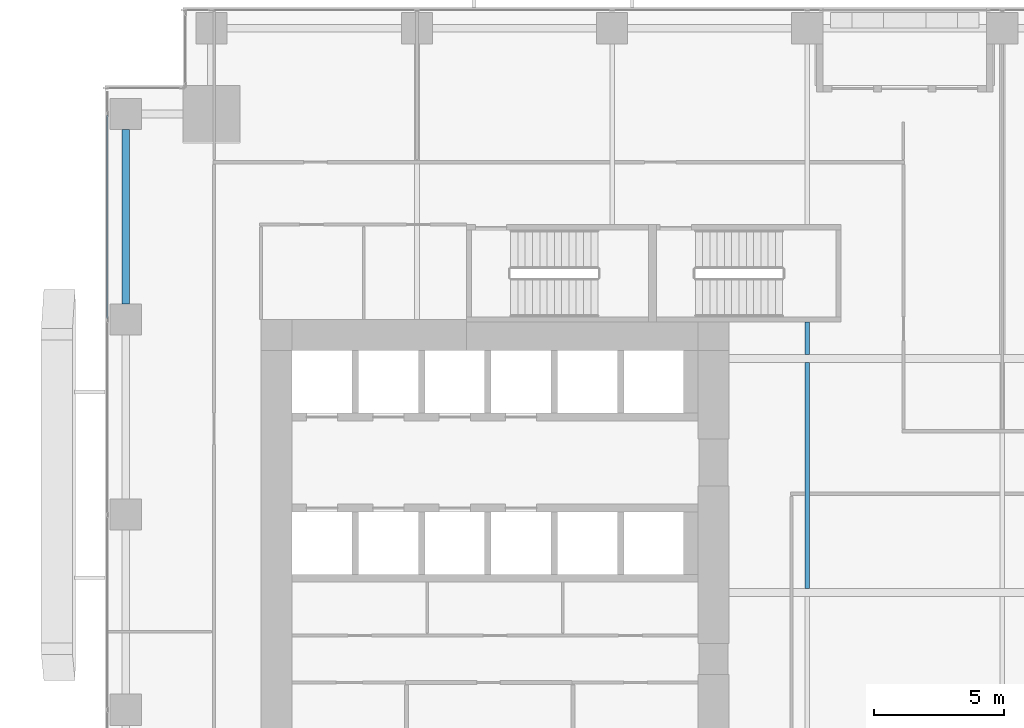
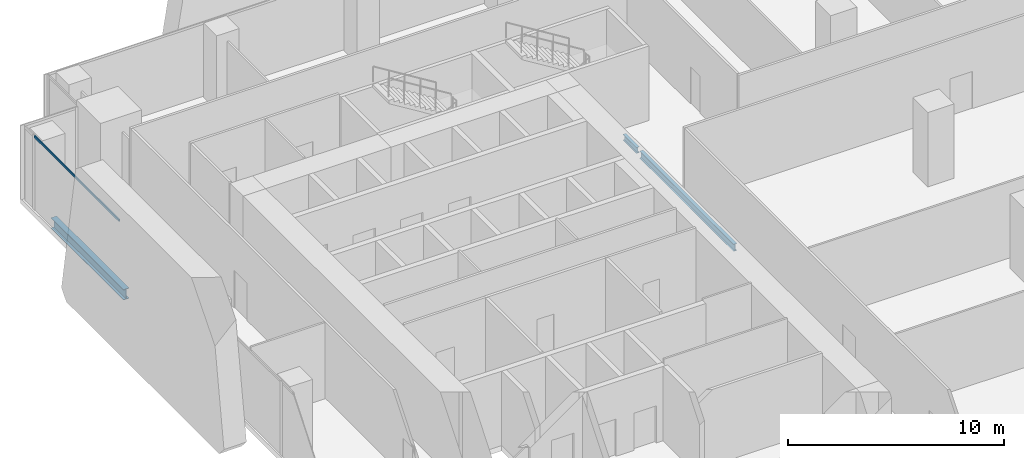
# One storey, part 12 of 34: 3 beams, 1 member, 1 element without a shape of its own.
"""IFC4 building model written with IfcOpenShell, lengths in metres."""

import ifcopenshell
import ifcopenshell.guid

model = None  # the IFC model being written
_history = None  # IfcOwnerHistory: only IFC2X3 demands one
_inside = {}  # id of a spatial element -> (the spatial element, [elements in it])
_under = {}  # id of a project, library or spatial element -> (it, [spatial elements below it])
_declared = {}  # id of a project -> (the project, [libraries it declares])
_typed = {}  # id of a type object -> (the type object, [elements of that type])
_made_of = {}  # id of a material, layer set ... -> (it, [elements and type objects made of it])


def new_model(schema):
    """Start an empty IFC model of exactly this schema.

    Asked for "IFC4X3", IfcOpenShell would pick the latest addendum, in which some entities
    have other attributes; the version numbers below select the first issue.
    IFC2X3 requires an IfcOwnerHistory on every rooted entity: one is made here for all.
    """
    global model, _history
    if schema == "IFC4X3":
        model = ifcopenshell.file(schema_version=(4, 3, 0, 0))
    else:
        model = ifcopenshell.file(schema=schema)
    _inside.clear()
    _under.clear()
    _declared.clear()
    _typed.clear()
    _made_of.clear()
    _history = None
    if model.schema == "IFC2X3":
        org = make("IfcOrganization", Name="unknown")
        user = make(
            "IfcPersonAndOrganization",
            ThePerson=make("IfcPerson", FamilyName="unknown"),
            TheOrganization=org,
        )
        app = make(
            "IfcApplication",
            ApplicationDeveloper=org,
            Version="unknown",
            ApplicationFullName="unknown",
            ApplicationIdentifier="unknown",
        )
        _history = make(
            "IfcOwnerHistory",
            OwningUser=user,
            OwningApplication=app,
            ChangeAction="ADDED",
            CreationDate=0,
        )
    return model


def make(cls, **values):
    """One entity of the class cls with the attributes given. An attribute that is None is left unset."""
    return model.create_entity(
        cls, **{name: value for name, value in values.items() if value is not None}
    )


def rooted(cls, **values):
    """An entity with a GlobalId (a new one), such as an element, a storey or a relation."""
    return make(cls, GlobalId=ifcopenshell.guid.new(), OwnerHistory=_history, **values)


def si_unit(unit_type, name, prefix=None):
    """IfcSIUnit, for example si_unit("LENGTHUNIT", "METRE", prefix="MILLI")."""
    return make("IfcSIUnit", UnitType=unit_type, Prefix=prefix, Name=name)


def assignment(units):
    """IfcUnitAssignment: the units of a project."""
    return None if units is None else make("IfcUnitAssignment", Units=units)


def point(xyz):
    """IfcCartesianPoint."""
    return None if xyz is None else make("IfcCartesianPoint", Coordinates=xyz)


def direction(xyz):
    """IfcDirection."""
    return None if xyz is None else make("IfcDirection", DirectionRatios=xyz)


def frame(location, z_axis=None, x_axis=None):
    """IfcAxis2Placement3D, a coordinate frame: its origin and axes. An axis left out is left unset."""
    return make(
        "IfcAxis2Placement3D",
        Location=point(location),
        Axis=direction(z_axis),
        RefDirection=direction(x_axis),
    )


def frame_2d(location, x_axis=None):
    """IfcAxis2Placement2D, a coordinate frame in the plane: its origin and x axis."""
    return make(
        "IfcAxis2Placement2D", Location=point(location), RefDirection=direction(x_axis)
    )


def origin():
    """The frame at (0, 0, 0) with its axes left unset."""
    return frame((0.0, 0.0, 0.0))


def origin_2d():
    """The frame at (0, 0) in the plane with its x axis left unset."""
    return frame_2d((0.0, 0.0))


def place(relative_to, where):
    """IfcLocalPlacement: puts the frame where relative to a parent placement (None: the world)."""
    return make(
        "IfcLocalPlacement", PlacementRelTo=relative_to, RelativePlacement=where
    )


def context(
    kind, dimensions, precision=None, world=None, true_north=None, identifier=None
):
    """IfcGeometricRepresentationContext, for example the 3D "Model" context."""
    return make(
        "IfcGeometricRepresentationContext",
        ContextIdentifier=identifier,
        ContextType=kind,
        CoordinateSpaceDimension=dimensions,
        Precision=precision,
        WorldCoordinateSystem=world,
        TrueNorth=true_north,
    )


def subcontext(parent, identifier, kind, view, scale=None):
    """IfcGeometricRepresentationSubContext, for example "Body" below "Model"."""
    return make(
        "IfcGeometricRepresentationSubContext",
        ContextIdentifier=identifier,
        ContextType=kind,
        ParentContext=parent,
        TargetScale=scale,
        TargetView=view,
    )


def project(units=None, contexts=None):
    """IfcProject with its units and contexts."""
    return rooted(
        "IfcProject",
        Name="project",
        RepresentationContexts=contexts,
        UnitsInContext=assignment(units),
    )


def spatial(cls, under=None, at=None, **own):
    """A site, building, storey or space (cls), placed at a placement, below another one or the project."""
    s = rooted(cls, ObjectPlacement=at, **own)
    if under is not None:
        _under.setdefault(under.id(), (under, []))[1].append(s)
    return s


def profile(cls, at=None, kind="AREA", **sizes):
    """A parametric profile (cls). Its sizes go by their IFC names, for example OverallWidth=200.0."""
    return make(cls, ProfileType=kind, Position=at, **sizes)


def hollow_rectangle(**sizes):
    """IfcRectangleHollowProfileDef."""
    return profile("IfcRectangleHollowProfileDef", **sizes)


def i_section(**sizes):
    """IfcIShapeProfileDef."""
    return profile("IfcIShapeProfileDef", **sizes)


def extrude(swept, where, along, depth):
    """IfcExtrudedAreaSolid: the profile swept, set in the frame where, extruded along a direction by depth."""
    return make(
        "IfcExtrudedAreaSolid",
        SweptArea=swept,
        Position=where,
        ExtrudedDirection=direction(along),
        Depth=depth,
    )


def shape(context_of_items, identifier, shape_type, items):
    """IfcShapeRepresentation: the items that make up one representation, for example the "Body"."""
    return make(
        "IfcShapeRepresentation",
        ContextOfItems=context_of_items,
        RepresentationIdentifier=identifier,
        RepresentationType=shape_type,
        Items=items,
    )


def source(mapping_origin, context_of_items, identifier, shape_type, items):
    """IfcRepresentationMap: a shape defined once, which mapped items show again and again."""
    return make(
        "IfcRepresentationMap",
        MappingOrigin=mapping_origin,
        MappedRepresentation=shape(context_of_items, identifier, shape_type, items),
    )


def transform(
    local_origin,
    x_axis=None,
    y_axis=None,
    z_axis=None,
    scale=None,
    scale2=None,
    scale3=None,
    uniform=True,
):
    """IfcCartesianTransformationOperator3D, or its non-uniform kind. x_axis, y_axis, z_axis: its Axis1, 2, 3."""
    if uniform:
        return make(
            "IfcCartesianTransformationOperator3D",
            Axis1=direction(x_axis),
            Axis2=direction(y_axis),
            LocalOrigin=point(local_origin),
            Scale=scale,
            Axis3=direction(z_axis),
        )
    return make(
        "IfcCartesianTransformationOperator3DnonUniform",
        Axis1=direction(x_axis),
        Axis2=direction(y_axis),
        LocalOrigin=point(local_origin),
        Scale=scale,
        Axis3=direction(z_axis),
        Scale2=scale2,
        Scale3=scale3,
    )


def mapped(mapping_source, mapping_target):
    """IfcMappedItem: shows the shape of a source again, moved by a transform."""
    return make(
        "IfcMappedItem", MappingSource=mapping_source, MappingTarget=mapping_target
    )


def material(Name=None, Category=None):
    """IfcMaterial."""
    return make("IfcMaterial", Name=Name, Category=Category)


def material_profile(
    of_material, cross_section, Name=None, Category=None, Priority=None
):
    """IfcMaterialProfile: a cross section and its material."""
    return make(
        "IfcMaterialProfile",
        Name=Name,
        Material=of_material,
        Profile=cross_section,
        Priority=Priority,
        Category=Category,
    )


def profile_set(profiles, Name=None, composite=None):
    """IfcMaterialProfileSet."""
    return make(
        "IfcMaterialProfileSet",
        Name=Name,
        MaterialProfiles=profiles,
        CompositeProfile=composite,
    )


def made_of(thing, what):
    """Note that an element or type object is made of a material, layer set ...; save() writes the relation."""
    if what is not None:
        _made_of.setdefault(what.id(), (what, []))[1].append(thing)
    return thing


def type_object(cls, material=None, **own):
    """A type object (cls), such as IfcWallType, which elements share."""
    return made_of(rooted(cls, **own), material)


def element(
    cls,
    number,
    at=None,
    inside=None,
    cuts=None,
    type_object=None,
    material=None,
    context=None,
    identifier="Body",
    shape_type=None,
    held_by="IfcProductDefinitionShape",
    body=None,
    shapes=None,
    **own,
):
    """One element of the class cls, such as IfcWall. Its Tag is "e" and its number.

    at: its placement. inside: the storey or other place that contains it. cuts: it is an
    opening in that element (IfcRelVoidsElement). A single representation is given by context,
    identifier, shape_type and body (its items); several are given by shapes. held_by: the class
    of the entity that holds the representations. save() writes the other relations.
    """
    e = rooted(cls, Tag="e%d" % number, ObjectPlacement=at, **own)
    if body is not None:
        shapes = [shape(context, identifier, shape_type, body)]
    if shapes is not None:
        e.Representation = make(held_by, Representations=shapes)
    if inside is not None:
        _inside.setdefault(inside.id(), (inside, []))[1].append(e)
    if cuts is not None:
        rooted(
            "IfcRelVoidsElement", RelatingBuildingElement=cuts, RelatedOpeningElement=e
        )
    if type_object is not None:
        _typed.setdefault(type_object.id(), (type_object, []))[1].append(e)
    return made_of(e, material)


def aggregate(whole, parts):
    """IfcRelAggregates: a whole, such as a stair, and the parts it consists of."""
    return rooted("IfcRelAggregates", RelatingObject=whole, RelatedObjects=parts)


def save(model, path):
    """Write the relations noted so far, then the file.

    IfcRelAggregates (storeys below a building ...), IfcRelContainedInSpatialStructure (elements
    in a storey), IfcRelDefinesByType, IfcRelAssociatesMaterial and IfcRelDeclares: one each for
    every whole, place, type object, material and project.
    """
    for whole, parts in _under.values():
        aggregate(whole, parts)
    for where, things in _inside.values():
        rooted(
            "IfcRelContainedInSpatialStructure",
            RelatedElements=things,
            RelatingStructure=where,
        )
    for kind, things in _typed.values():
        rooted("IfcRelDefinesByType", RelatedObjects=things, RelatingType=kind)
    for what, things in _made_of.values():
        rooted("IfcRelAssociatesMaterial", RelatedObjects=things, RelatingMaterial=what)
    for by, libraries in _declared.values():
        rooted("IfcRelDeclares", RelatingContext=by, RelatedDefinitions=libraries)
    model.write(path)


model = new_model("IFC4")

# Units and contexts
model_context = context("Model", 3, precision=1e-05, world=origin(), true_north=direction((0.0, 1.0)))
body_context = subcontext(model_context, "Body", "Model", "MODEL_VIEW")
ifc_project = project(units=[si_unit("LENGTHUNIT", "METRE"), si_unit("AREAUNIT", "SQUARE_METRE"), si_unit("VOLUMEUNIT", "CUBIC_METRE"), si_unit("PLANEANGLEUNIT", "RADIAN"), si_unit("MASSUNIT", "GRAM", prefix="KILO")], contexts=[model_context])

# Site, building, storey
site_placement = place(None, origin())
site = spatial("IfcSite", under=ifc_project, at=site_placement, CompositionType="ELEMENT")
building_placement = place(site_placement, origin())
building = spatial("IfcBuilding", under=site, at=building_placement, Name="Khomas Fold Tower", CompositionType="ELEMENT")
storey_placement = place(building_placement, frame((0.0, 0.0, 51.0)))
storey = spatial("IfcBuildingStorey", under=building, at=storey_placement, Name="L10", CompositionType="ELEMENT", Elevation=51.0)

# Beams
ifc_material_1 = material(Name="Steel S355", Category="steel")
ifc_material_profile_1 = material_profile(ifc_material_1, i_section(OverallWidth=0.179931640625, OverallDepth=0.39990234375, WebThickness=0.008544921875, FlangeThickness=0.013427734375, at=origin_2d()), Name="IPE 400")
ifc_profile_set_1 = profile_set([ifc_material_profile_1], Name="Steel S355")
beam_type_1 = type_object("IfcBeamType", Name="IPE 400 beam JB3", PredefinedType="BEAM", material=ifc_profile_set_1)
shared_shape_1 = source(origin(), body_context, "Body", "SweptSolid", [
    extrude(i_section(OverallWidth=0.179931640625, OverallDepth=0.39990234375, WebThickness=0.008544921875, FlangeThickness=0.013427734375, at=origin_2d()), origin(), (0.0, 0.0, 1.0), 8.7001953125),
])
beam_1_placement = place(storey_placement, frame((27.0, 31.64990234375, -0.5), z_axis=(0.0, 1.0, 0.0), x_axis=(-1.0, 0.0, 0.0)))
element("IfcBeam", 1, at=beam_1_placement, inside=storey, type_object=beam_type_1, Name="JB3", PredefinedType="BEAM", context=body_context, shape_type="MappedRepresentation", body=[
    mapped(shared_shape_1, transform((0.0, 0.0, 0.0))),
])
ifc_material_2 = material(Name="Steel S355", Category="steel")
ifc_material_profile_2 = material_profile(ifc_material_2, i_section(OverallWidth=0.300048828125, OverallDepth=0.60009765625, WebThickness=0.015380859375, FlangeThickness=0.030029296875, at=origin_2d()), Name="HE 600 B")
ifc_profile_set_2 = profile_set([ifc_material_profile_2], Name="Steel S355")
beam_type_2 = type_object("IfcBeamType", Name="HE 600 B spandrel SB1", PredefinedType="SPANDREL", material=ifc_profile_set_2)
shared_shape_2 = source(origin(), body_context, "Body", "SweptSolid", [
    extrude(i_section(OverallWidth=0.300048828125, OverallDepth=0.60009765625, WebThickness=0.015380859375, FlangeThickness=0.030029296875, at=origin_2d()), origin(), (0.0, 0.0, 1.0), 6.699951171875),
])
beam_2_placement = place(storey_placement, frame((0.800048828125, 42.60009765625, -0.60009765625), z_axis=(0.0, 1.0, 0.0), x_axis=(-1.0, 0.0, 0.0)))
element("IfcBeam", 2, at=beam_2_placement, inside=storey, type_object=beam_type_2, Name="SB1", PredefinedType="SPANDREL", context=body_context, shape_type="MappedRepresentation", body=[
    mapped(shared_shape_2, transform((0.0, 0.0, 0.0))),
])
ifc_material_3 = material(Name="Steel S355", Category="steel")
ifc_material_profile_3 = material_profile(ifc_material_3, i_section(OverallWidth=0.159912109375, OverallDepth=0.330078125, WebThickness=0.007568359375, FlangeThickness=0.011474609375, at=origin_2d()), Name="IPE 330")
ifc_profile_set_3 = profile_set([ifc_material_profile_3], Name="Steel S355")
beam_type_3 = type_object("IfcBeamType", Name="IPE 330 beam JB1", PredefinedType="BEAM", material=ifc_profile_set_3)
shared_shape_3 = source(origin(), body_context, "Body", "SweptSolid", [
    extrude(i_section(OverallWidth=0.159912109375, OverallDepth=0.330078125, WebThickness=0.007568359375, FlangeThickness=0.011474609375, at=origin_2d()), origin(), (0.0, 0.0, 1.0), 1.25),
])
beam_3_placement = place(storey_placement, frame((27.0, 40.64990234375, -0.465087890625), z_axis=(0.0, 1.0, 0.0), x_axis=(-1.0, 0.0, 0.0)))
element("IfcBeam", 3, at=beam_3_placement, inside=storey, type_object=beam_type_3, Name="JB1", PredefinedType="BEAM", context=body_context, shape_type="MappedRepresentation", body=[
    mapped(shared_shape_3, transform((0.0, 0.0, 0.0))),
])

# Curtain wall, member
ifc_material_4 = material(Name="Aluminium framed double glazing", Category="aluminium")
curtain_wall_type = type_object("IfcCurtainWallType", Name="SK-Unitised clear-glass wall, growing floors CW1", PredefinedType="NOTDEFINED", material=ifc_material_4)
curtain_wall_placement = place(storey_placement, origin())
curtain_wall = element("IfcCurtainWall", 4, at=curtain_wall_placement, inside=storey, type_object=curtain_wall_type, Name="CW1 run L10 09-0", PredefinedType="NOTDEFINED")
ifc_material_5 = material(Name="Aluminium", Category="aluminium")
ifc_material_profile_4 = material_profile(ifc_material_5, hollow_rectangle(XDim=0.06005859375, YDim=0.1201171875, WallThickness=0.00390625, at=origin_2d()), Name="SK-Unitised clear-glass wall, growing floors transom CW1-T")
ifc_profile_set_4 = profile_set([ifc_material_profile_4], Name="Aluminium")
member_type = type_object("IfcMemberType", Name="SK-Unitised clear-glass wall, growing floors transom CW1-T", PredefinedType="USERDEFINED", material=ifc_profile_set_4)
shared_shape_4 = source(origin(), body_context, "Body", "SweptSolid", [
    extrude(hollow_rectangle(XDim=0.06005859375, YDim=0.1201171875, WallThickness=0.00390625, at=origin_2d()), origin(), (0.0, 0.0, 1.0), 7.840087890625),
])
member_placement = place(storey_placement, frame((0.10009765625, 49.8701171875, 4.139892578125), z_axis=(0.0, -1.0, 0.0), x_axis=(1.0, 0.0, 0.0)))
member = element("IfcMember", 5, at=member_placement, type_object=member_type, Name="CW1 transom 2", ObjectType="TRANSOM", PredefinedType="USERDEFINED", context=body_context, shape_type="MappedRepresentation", body=[
    mapped(shared_shape_4, transform((0.0, 0.0, 0.0))),
])
aggregate(curtain_wall, [member])

save(model, "model.ifc")
